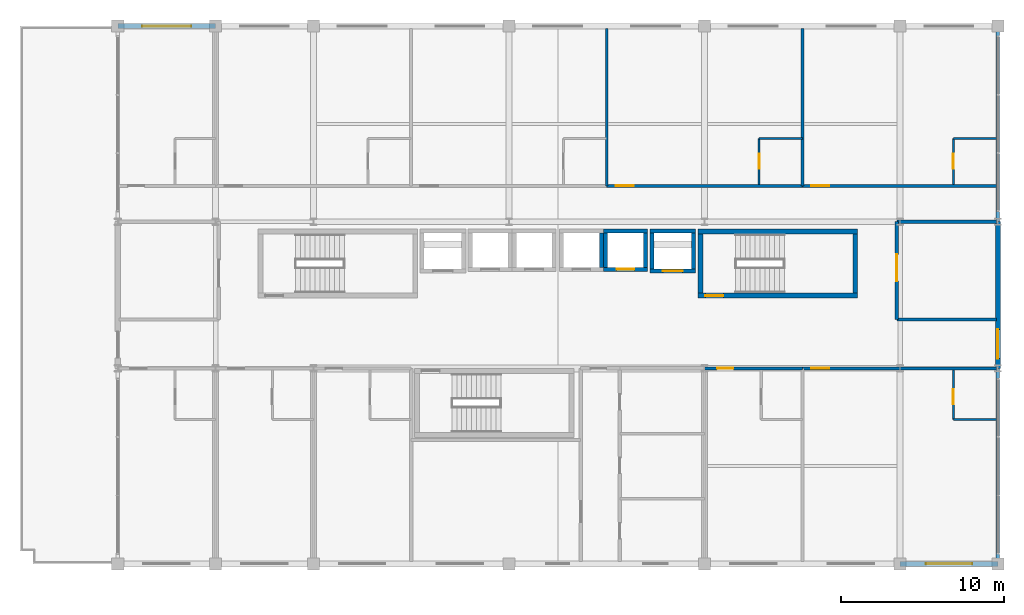
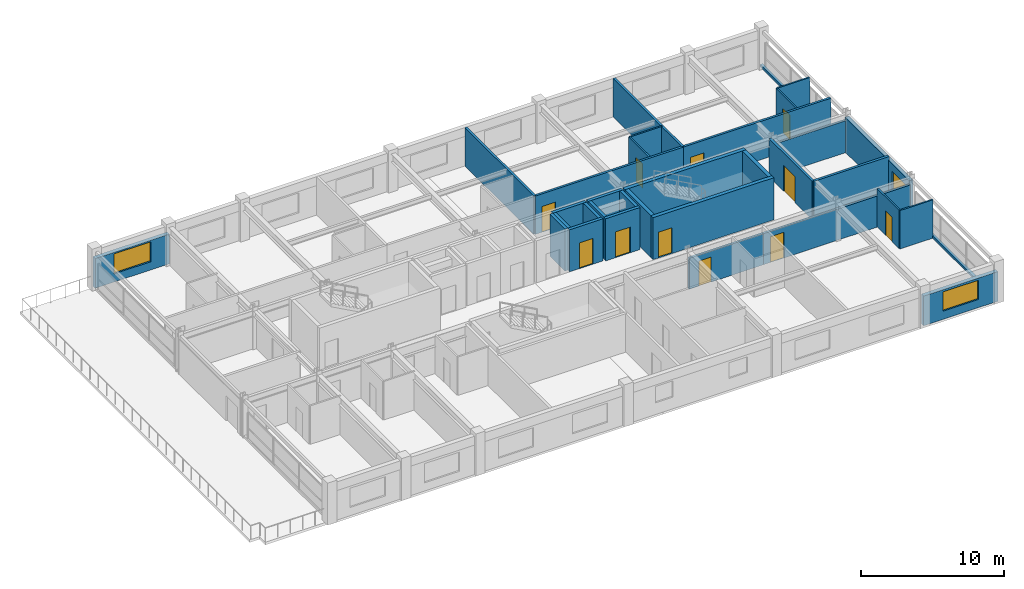
# One storey, part 19 of 21: 33 walls, 11 doors, 3 windows, 14 openings.
"""IFC4 building model written with IfcOpenShell, lengths in metres."""

from ifc_helpers import new_model, si_unit, direction, frame, frame_2d, origin, place, context, subcontext, project, spatial, rectangle, extrude, material, layer, layer_set, type_object, element, fill, save


model = new_model("IFC4")

# Units and contexts
model_context = context("Model", 3, precision=1e-05, world=origin(), true_north=direction((0.0, 1.0)))
body_context = subcontext(model_context, "Body", "Model", "MODEL_VIEW")
ifc_project = project(units=[si_unit("LENGTHUNIT", "METRE"), si_unit("AREAUNIT", "SQUARE_METRE"), si_unit("VOLUMEUNIT", "CUBIC_METRE"), si_unit("PLANEANGLEUNIT", "RADIAN"), si_unit("MASSUNIT", "GRAM", prefix="KILO")], contexts=[model_context])

# Site, building, storey
site_placement = place(None, origin())
site = spatial("IfcSite", under=ifc_project, at=site_placement, CompositionType="ELEMENT")
building_placement = place(site_placement, origin())
building = spatial("IfcBuilding", under=site, at=building_placement, Name="Kaldorvane Square Convention Centre", CompositionType="ELEMENT")
storey_placement = place(building_placement, frame((0.0, 0.0, 49.19999694824219)))
storey = spatial("IfcBuildingStorey", under=building, at=storey_placement, Name="L11", CompositionType="ELEMENT", Elevation=49.19999694824219)

# Wall, opening, door
ifc_material_1 = material(Name="Fire-Rated Gypsum Board on Acoustic Steel Studs", Category="steel")
ifc_layer_1 = layer(ifc_material_1, 0.125)
ifc_layer_set_1 = layer_set([ifc_layer_1], Name="Fire-Rated Gypsum Board on Acoustic Steel Studs")
wall_type_1 = type_object("IfcWallType", Name="WL-BATH-125", PredefinedType="PARTITIONING", material=ifc_layer_set_1)
wall_1_placement = place(storey_placement, frame((69.35000610351562, 107.28999328613281, 0.0), z_axis=(0.0, 0.0, 1.0), x_axis=(0.0, 1.0, 0.0)))
wall_1 = element("IfcWall", 1, at=wall_1_placement, inside=storey, type_object=wall_type_1, Name="En-Suite 1104 West Wall", PredefinedType="PARTITIONING", context=body_context, shape_type="SweptSolid", body=[
    extrude(rectangle(XDim=2.8100128173828125, YDim=0.125, at=frame_2d((1.404998779296875, 0.0))), origin(), (0.0, 0.0, 1.0), 3.290008544921875),
])
opening_1_placement = place(wall_1_placement, frame((0.9499969482421875, 0.0, 0.0)))
opening_1 = element("IfcOpeningElement", 2, at=opening_1_placement, cuts=wall_1, Name="Opening ID-12", PredefinedType="OPENING", context=body_context, shape_type="SweptSolid", body=[
    extrude(rectangle(XDim=0.9199981689453125, YDim=2.100006103515625, at=frame_2d((0.459991455078125, 1.0500030517578125))), frame((0.0, 0.0774993896484375, 0.0), z_axis=(0.0, -1.0, 0.0), x_axis=(1.0, 0.0, 0.0)), (0.0, 0.0, 1.0), 0.154998779296875),
])
ifc_material_2 = material(Name="Architectural Solid-Core White Oak")
door_type_1 = type_object("IfcDoorType", Name="DR-BATH-0920X2100", OperationType="SINGLE_SWING_RIGHT", PredefinedType="DOOR", material=ifc_material_2)
door_1_placement = place(opening_1_placement, origin())
door_1 = element("IfcDoor", 3, at=door_1_placement, inside=storey, type_object=door_type_1, Name="En-Suite Bathroom 1104 Door", OperationType="SINGLE_SWING_RIGHT", OverallHeight=2.100006103515625, OverallWidth=0.9199981689453125, PredefinedType="DOOR", context=body_context, shape_type="SweptSolid", body=[
    extrude(rectangle(XDim=0.9199981689453125, YDim=2.100006103515625, at=frame_2d((0.459991455078125, 1.0500030517578125))), frame((0.0, 0.024993896484375, 0.0), z_axis=(0.0, -1.0, 0.0), x_axis=(1.0, 0.0, 0.0)), (0.0, 0.0, 1.0), 0.0500030517578125),
])
fill(opening_1, door_1)

# Wall
wall_2_placement = place(storey_placement, frame((69.35000610351562, 110.10000610351562, 0.0), z_axis=(0.0, 0.0, 1.0), x_axis=(1.0, 0.0, 0.0)))
element("IfcWall", 4, at=wall_2_placement, inside=storey, type_object=wall_type_1, Name="En-Suite 1104 North Wall", PredefinedType="PARTITIONING", context=body_context, shape_type="SweptSolid", body=[
    extrude(rectangle(XDim=2.649993896484375, YDim=0.125, at=frame_2d((1.3249969482421875, 0.0))), origin(), (0.0, 0.0, 1.0), 3.290008544921875),
])

# Wall, opening, door
wall_3_placement = place(storey_placement, frame((81.26499938964844, 107.28999328613281, 0.0), z_axis=(0.0, 0.0, 1.0), x_axis=(0.0, 1.0, 0.0)))
wall_3 = element("IfcWall", 5, at=wall_3_placement, inside=storey, type_object=wall_type_1, Name="En-Suite 1105 West Wall", PredefinedType="PARTITIONING", context=body_context, shape_type="SweptSolid", body=[
    extrude(rectangle(XDim=2.8100128173828125, YDim=0.125, at=frame_2d((1.404998779296875, 0.0))), origin(), (0.0, 0.0, 1.0), 3.290008544921875),
])
opening_2_placement = place(wall_3_placement, frame((0.9499969482421875, 0.0, 0.0)))
opening_2 = element("IfcOpeningElement", 6, at=opening_2_placement, cuts=wall_3, Name="Opening ID-12", PredefinedType="OPENING", context=body_context, shape_type="SweptSolid", body=[
    extrude(rectangle(XDim=0.9199981689453125, YDim=2.100006103515625, at=frame_2d((0.459991455078125, 1.0500030517578125))), frame((0.0, 0.0774993896484375, 0.0), z_axis=(0.0, -1.0, 0.0), x_axis=(1.0, 0.0, 0.0)), (0.0, 0.0, 1.0), 0.154998779296875),
])
door_2_placement = place(opening_2_placement, origin())
door_2 = element("IfcDoor", 7, at=door_2_placement, inside=storey, type_object=door_type_1, Name="En-Suite Bathroom 1105 Door", OperationType="SINGLE_SWING_RIGHT", OverallHeight=2.100006103515625, OverallWidth=0.9199981689453125, PredefinedType="DOOR", context=body_context, shape_type="SweptSolid", body=[
    extrude(rectangle(XDim=0.9199981689453125, YDim=2.100006103515625, at=frame_2d((0.459991455078125, 1.0500030517578125))), frame((0.0, 0.024993896484375, 0.0), z_axis=(0.0, -1.0, 0.0), x_axis=(1.0, 0.0, 0.0)), (0.0, 0.0, 1.0), 0.0500030517578125),
])
fill(opening_2, door_2)

# Wall
wall_4_placement = place(storey_placement, frame((81.26499938964844, 110.10000610351562, 0.0), z_axis=(0.0, 0.0, 1.0), x_axis=(1.0, 0.0, 0.0)))
element("IfcWall", 8, at=wall_4_placement, inside=storey, type_object=wall_type_1, Name="En-Suite 1105 North Wall", PredefinedType="PARTITIONING", context=body_context, shape_type="SweptSolid", body=[
    extrude(rectangle(XDim=2.649993896484375, YDim=0.125, at=frame_2d((1.3249969482421875, 0.0))), origin(), (0.0, 0.0, 1.0), 3.290008544921875),
])

# Wall, opening, door
wall_5_placement = place(storey_placement, frame((81.26499938964844, 92.85000610351562, 0.0), z_axis=(0.0, 0.0, 1.0), x_axis=(0.0, 1.0, 0.0)))
wall_5 = element("IfcWall", 9, at=wall_5_placement, inside=storey, type_object=wall_type_1, Name="En-Suite 1110 West Wall", PredefinedType="PARTITIONING", context=body_context, shape_type="SweptSolid", body=[
    extrude(rectangle(XDim=3.05999755859375, YDim=0.125, at=frame_2d((1.529998779296875, 0.0))), origin(), (0.0, 0.0, 1.0), 3.290008544921875),
])
opening_3_placement = place(wall_5_placement, frame((0.9499969482421875, 0.0, 0.0)))
opening_3 = element("IfcOpeningElement", 10, at=opening_3_placement, cuts=wall_5, Name="Opening ID-12", PredefinedType="OPENING", context=body_context, shape_type="SweptSolid", body=[
    extrude(rectangle(XDim=0.9199981689453125, YDim=2.100006103515625, at=frame_2d((0.459991455078125, 1.0500030517578125))), frame((0.0, 0.0774993896484375, 0.0), z_axis=(0.0, -1.0, 0.0), x_axis=(1.0, 0.0, 0.0)), (0.0, 0.0, 1.0), 0.154998779296875),
])
door_3_placement = place(opening_3_placement, origin())
door_3 = element("IfcDoor", 11, at=door_3_placement, inside=storey, type_object=door_type_1, Name="En-Suite Bathroom 1110 Door", OperationType="SINGLE_SWING_RIGHT", OverallHeight=2.100006103515625, OverallWidth=0.9199981689453125, PredefinedType="DOOR", context=body_context, shape_type="SweptSolid", body=[
    extrude(rectangle(XDim=0.9199981689453125, YDim=2.100006103515625, at=frame_2d((0.459991455078125, 1.0500030517578125))), frame((0.0, 0.024993896484375, 0.0), z_axis=(0.0, -1.0, 0.0), x_axis=(1.0, 0.0, 0.0)), (0.0, 0.0, 1.0), 0.0500030517578125),
])
fill(opening_3, door_3)

# Walls
wall_6_placement = place(storey_placement, frame((81.26499938964844, 92.85000610351562, 0.0), z_axis=(0.0, 0.0, 1.0), x_axis=(1.0, 0.0, 0.0)))
element("IfcWall", 12, at=wall_6_placement, inside=storey, type_object=wall_type_1, Name="En-Suite 1110 South Wall", PredefinedType="PARTITIONING", context=body_context, shape_type="SweptSolid", body=[
    extrude(rectangle(XDim=2.649993896484375, YDim=0.125, at=frame_2d((1.3249969482421875, 0.0))), origin(), (0.0, 0.0, 1.0), 3.290008544921875),
])
ifc_layer_2 = layer(ifc_material_1, 0.1999969482421875)
ifc_layer_set_2 = layer_set([ifc_layer_2], Name="Fire-Rated Gypsum Board on Acoustic Steel Studs")
wall_type_2 = type_object("IfcWallType", Name="WL-CORR-200", PredefinedType="PARTITIONING", material=ifc_layer_set_2)
wall_7_placement = place(storey_placement, frame((77.80000305175781, 99.0, 0.0), z_axis=(0.0, 0.0, 1.0), x_axis=(1.0, 0.0, 0.0)))
element("IfcWall", 13, at=wall_7_placement, inside=storey, type_object=wall_type_2, Name="East Square View Lounge (L11) S Wall", PredefinedType="PARTITIONING", context=body_context, shape_type="SweptSolid", body=[
    extrude(rectangle(XDim=6.114990234375, YDim=0.1999969482421875, at=frame_2d((3.0574951171875, 0.0))), origin(), (0.0, 0.0, 1.0), 3.290008544921875),
])
wall_8_placement = place(storey_placement, frame((83.91499328613281, 105.0, 0.0), z_axis=(0.0, 0.0, 1.0), x_axis=(-1.0, 0.0, 0.0)))
element("IfcWall", 14, at=wall_8_placement, inside=storey, type_object=wall_type_2, Name="East Square View Lounge (L11) N Wall", PredefinedType="PARTITIONING", context=body_context, shape_type="SweptSolid", body=[
    extrude(rectangle(XDim=6.114990234375, YDim=0.1999969482421875, at=frame_2d((3.0574951171875, 0.0))), origin(), (0.0, 0.0, 1.0), 2.7360076904296875),
])

# Wall, opening, door
wall_9_placement = place(storey_placement, frame((77.80000305175781, 105.0, 0.0), z_axis=(0.0, 0.0, 1.0), x_axis=(0.0, -1.0, 0.0)))
wall_9 = element("IfcWall", 15, at=wall_9_placement, inside=storey, type_object=wall_type_2, Name="East Square View Lounge (L11) W Wall", PredefinedType="PARTITIONING", context=body_context, shape_type="SweptSolid", body=[
    extrude(rectangle(XDim=6.0, YDim=0.1999969482421875, at=frame_2d((3.0, 0.0))), origin(), (0.0, 0.0, 1.0), 3.290008544921875),
])
opening_4_placement = place(wall_9_placement, frame((2.0, 0.0, 0.0)))
opening_4 = element("IfcOpeningElement", 16, at=opening_4_placement, cuts=wall_9, Name="Opening ID-16", PredefinedType="OPENING", context=body_context, shape_type="SweptSolid", body=[
    extrude(rectangle(XDim=1.649993896484375, YDim=2.25, at=frame_2d((0.8249969482421875, 1.125))), frame((0.0, 0.114990234375, 0.0), z_axis=(0.0, -1.0, 0.0), x_axis=(1.0, 0.0, 0.0)), (0.0, 0.0, 1.0), 0.2299957275390625),
])
ifc_material_3 = material(Name="Acoustic Laminated Glass in Aluminum Frame", Category="aluminium")
door_type_2 = type_object("IfcDoorType", Name="DR-GL-1650X2250", OperationType="DOUBLE_DOOR_SINGLE_SWING", PredefinedType="DOOR", material=ifc_material_3)
door_4_placement = place(opening_4_placement, origin())
door_4 = element("IfcDoor", 17, at=door_4_placement, inside=storey, type_object=door_type_2, Name="East Square View Lounge (L11) Door 1", OperationType="DOUBLE_DOOR_SINGLE_SWING", OverallHeight=2.25, OverallWidth=1.649993896484375, PredefinedType="DOOR", context=body_context, shape_type="SweptSolid", body=[
    extrude(rectangle(XDim=1.649993896484375, YDim=2.25, at=frame_2d((0.8249969482421875, 1.125))), frame((0.0, 0.024993896484375, 0.0), z_axis=(0.0, -1.0, 0.0), x_axis=(1.0, 0.0, 0.0)), (0.0, 0.0, 1.0), 0.0500030517578125),
])
fill(opening_4, door_4)

# Wall, opening, window
ifc_material_4 = material(Name="Concrete f'c = 35 MPa (Normalweight)", Category="concrete")
ifc_layer_3 = layer(ifc_material_4, 0.32000732421875)
ifc_layer_set_3 = layer_set([ifc_layer_3], Name="Concrete f'c = 35 MPa (Normalweight)")
wall_type_3 = type_object("IfcWallType", Name="WL-EXT-320", PredefinedType="STANDARD", material=ifc_layer_set_3)
wall_10_placement = place(storey_placement, frame((78.0, 84.0, 0.0), z_axis=(0.0, 0.0, 1.0), x_axis=(1.0, 0.0, 0.0)))
wall_10 = element("IfcWall", 18, at=wall_10_placement, inside=storey, type_object=wall_type_3, Name="Hotel S Brutalist Facade Wall (L11)", PredefinedType="STANDARD", context=body_context, shape_type="SweptSolid", body=[
    extrude(rectangle(XDim=6.0, YDim=0.32000732421875, at=frame_2d((3.0, 0.0))), origin(), (0.0, 0.0, 1.0), 2.5359954833984375),
])
opening_5_placement = place(wall_10_placement, frame((1.5749969482421875, 0.0, 0.6999969482421875)))
opening_5 = element("IfcOpeningElement", 19, at=opening_5_placement, cuts=wall_10, Name="Opening W-04", PredefinedType="OPENING", context=body_context, shape_type="SweptSolid", body=[
    extrude(rectangle(XDim=2.850006103515625, YDim=1.649993896484375, at=frame_2d((1.4250030517578125, 0.8249969482421875))), frame((0.0, 0.1750030517578125, 0.0), z_axis=(0.0, -1.0, 0.0), x_axis=(1.0, 0.0, 0.0)), (0.0, 0.0, 1.0), 0.350006103515625),
])
ifc_material_5 = material(Name="Anodized Aluminum and Low-E Insulated Glazing", Category="aluminium")
window_type_1 = type_object("IfcWindowType", Name="WN-HTL-2850X1650", PartitioningType="TRIPLE_PANEL_VERTICAL", PredefinedType="WINDOW", material=ifc_material_5)
window_1_placement = place(opening_5_placement, origin())
window_1 = element("IfcWindow", 20, at=window_1_placement, inside=storey, type_object=window_type_1, Name="Hotel S Window (L11)", OverallHeight=1.649993896484375, OverallWidth=2.850006103515625, PartitioningType="TRIPLE_PANEL_VERTICAL", PredefinedType="WINDOW", context=body_context, shape_type="SweptSolid", body=[
    extrude(rectangle(XDim=2.850006103515625, YDim=1.649993896484375, at=frame_2d((1.4250030517578125, 0.8249969482421875))), frame((0.0, 0.029998779296875, 0.0), z_axis=(0.0, -1.0, 0.0), x_axis=(1.0, 0.0, 0.0)), (0.0, 0.0, 1.0), 0.05999755859375),
])
fill(opening_5, window_1)

wall_11_placement = place(storey_placement, frame((36.0, 117.0, 0.0), z_axis=(0.0, 0.0, 1.0), x_axis=(-1.0, 0.0, 0.0)))
wall_11 = element("IfcWall", 21, at=wall_11_placement, inside=storey, type_object=wall_type_3, Name="Hotel N Brutalist Facade Wall (L11)", PredefinedType="STANDARD", context=body_context, shape_type="SweptSolid", body=[
    extrude(rectangle(XDim=6.0, YDim=0.32000732421875, at=frame_2d((3.0, 0.0))), origin(), (0.0, 0.0, 1.0), 2.5359954833984375),
])
opening_6_placement = place(wall_11_placement, frame((1.5, 0.0, 0.6999969482421875)))
opening_6 = element("IfcOpeningElement", 22, at=opening_6_placement, cuts=wall_11, Name="Opening W-09", PredefinedType="OPENING", context=body_context, shape_type="SweptSolid", body=[
    extrude(rectangle(XDim=3.0, YDim=1.7100067138671875, at=frame_2d((1.5, 0.855010986328125))), frame((0.0, 0.1750030517578125, 0.0), z_axis=(0.0, -1.0, 0.0), x_axis=(1.0, 0.0, 0.0)), (0.0, 0.0, 1.0), 0.350006103515625),
])
window_type_2 = type_object("IfcWindowType", Name="WN-HTL-3000X1750", PartitioningType="TRIPLE_PANEL_VERTICAL", PredefinedType="WINDOW", material=ifc_material_5)
window_2_placement = place(opening_6_placement, origin())
window_2 = element("IfcWindow", 23, at=window_2_placement, inside=storey, type_object=window_type_2, Name="Hotel N Window (L11)", OverallHeight=1.7100067138671875, OverallWidth=3.0, PartitioningType="TRIPLE_PANEL_VERTICAL", PredefinedType="WINDOW", context=body_context, shape_type="SweptSolid", body=[
    extrude(rectangle(XDim=3.0, YDim=1.7100067138671875, at=frame_2d((1.5, 0.855010986328125))), frame((0.0, 0.029998779296875, 0.0), z_axis=(0.0, -1.0, 0.0), x_axis=(1.0, 0.0, 0.0)), (0.0, 0.0, 1.0), 0.05999755859375),
])
fill(opening_6, window_2)

wall_12_placement = place(storey_placement, frame((84.0, 96.0, 0.0), z_axis=(0.0, 0.0, 1.0), x_axis=(0.0, 1.0, 0.0)))
wall_12 = element("IfcWall", 24, at=wall_12_placement, inside=storey, type_object=wall_type_3, Name="Hotel E End Wall (L11)", PredefinedType="STANDARD", context=body_context, shape_type="SweptSolid", body=[
    extrude(rectangle(XDim=9.0, YDim=0.32000732421875, at=frame_2d((4.5, 0.0))), origin(), (0.0, 0.0, 1.0), 2.9810028076171875),
])
opening_7_placement = place(wall_12_placement, frame((0.600006103515625, 0.0, 0.850006103515625)))
opening_7 = element("IfcOpeningElement", 25, at=opening_7_placement, cuts=wall_12, Name="Opening W-11", PredefinedType="OPENING", context=body_context, shape_type="SweptSolid", body=[
    extrude(rectangle(XDim=1.8000030517578125, YDim=1.5, at=frame_2d((0.899993896484375, 0.75))), frame((0.0, 0.1750030517578125, 0.0), z_axis=(0.0, -1.0, 0.0), x_axis=(1.0, 0.0, 0.0)), (0.0, 0.0, 1.0), 0.350006103515625),
])
window_type_3 = type_object("IfcWindowType", Name="WN-HTL-1800X1500", PartitioningType="SINGLE_PANEL", PredefinedType="WINDOW", material=ifc_material_5)
window_3_placement = place(opening_7_placement, origin())
window_3 = element("IfcWindow", 26, at=window_3_placement, inside=storey, type_object=window_type_3, Name="Hotel End Window E (L11)", OverallHeight=1.5, OverallWidth=1.8000030517578125, PartitioningType="SINGLE_PANEL", PredefinedType="WINDOW", context=body_context, shape_type="SweptSolid", body=[
    extrude(rectangle(XDim=1.8000030517578125, YDim=1.5, at=frame_2d((0.899993896484375, 0.75))), frame((0.0, 0.029998779296875, 0.0), z_axis=(0.0, -1.0, 0.0), x_axis=(1.0, 0.0, 0.0)), (0.0, 0.0, 1.0), 0.05999755859375),
])
fill(opening_7, window_3)

# Walls
ifc_layer_4 = layer(ifc_material_4, 0.220001220703125)
ifc_layer_set_4 = layer_set([ifc_layer_4], Name="Concrete f'c = 35 MPa (Normalweight)")
wall_type_4 = type_object("IfcWallType", Name="WL-PAR-220", PredefinedType="PARAPET", material=ifc_layer_set_4)
for number, where, z_axis, x_axis, name in (
    (27, (84.0, 84.0, 0.0), (0.0, 0.0, 1.0), (0.0, 1.0, 0.0), "Hotel End Curtain-Wall Sill (L11)"),
    (28, (84.0, 105.0, 0.0), (0.0, 0.0, 1.0), (0.0, 1.0, 0.0), "Hotel End Curtain-Wall Sill (L11)"),
):
    element("IfcWall", number, at=place(storey_placement, frame(where, z_axis=z_axis, x_axis=x_axis)), inside=storey, type_object=wall_type_4, Name=name, PredefinedType="PARAPET", context=body_context, shape_type="SweptSolid", body=[
        extrude(rectangle(XDim=12.0, YDim=0.220001220703125, at=frame_2d((6.0, 0.0))), origin(), (0.0, 0.0, 1.0), 0.1999969482421875),
    ])

# Wall, opening, door
ifc_material_6 = material(Name="Concrete f'c = 55 MPa (Normalweight)", Category="concrete")
ifc_layer_5 = layer(ifc_material_6, 0.3000030517578125)
ifc_layer_set_5 = layer_set([ifc_layer_5], Name="Concrete f'c = 55 MPa (Normalweight)")
wall_type_5 = type_object("IfcWallType", Name="WL-SHAFT-300", PredefinedType="SHEAR", material=ifc_layer_set_5)
wall_13_placement = place(storey_placement, frame((65.60000610351562, 100.46000671386719, 0.0), z_axis=(0.0, 0.0, 1.0), x_axis=(1.0, 0.0, 0.0)))
wall_13 = element("IfcWall", 29, at=wall_13_placement, inside=storey, type_object=wall_type_5, Name="Core Enclosure Wall stair:ST-T2-S (L11)", PredefinedType="SHEAR", context=body_context, shape_type="SweptSolid", body=[
    extrude(rectangle(XDim=9.79998779296875, YDim=0.3000030517578125, at=frame_2d((4.899993896484375, 0.0))), origin(), (0.0, 0.0, 1.0), 3.600006103515625),
])
opening_8_placement = place(wall_13_placement, frame((0.4499969482421875, 0.0, 0.0)))
opening_8 = element("IfcOpeningElement", 30, at=opening_8_placement, cuts=wall_13, Name="Opening FD90-S1", PredefinedType="OPENING", context=body_context, shape_type="SweptSolid", body=[
    extrude(rectangle(XDim=1.100006103515625, YDim=2.1999969482421875, at=frame_2d((0.5500030517578125, 1.100006103515625))), frame((0.0, 0.165008544921875, 0.0), z_axis=(0.0, -1.0, 0.0), x_axis=(1.0, 0.0, 0.0)), (0.0, 0.0, 1.0), 0.3300018310546875),
])
ifc_material_7 = material(Name="Fire-Rated Hollow Metal Steel", Category="steel")
door_type_3 = type_object("IfcDoorType", Name="DR-STAIR-1100", OperationType="SINGLE_SWING_RIGHT", PredefinedType="DOOR", material=ifc_material_7)
door_5_placement = place(opening_8_placement, origin())
door_5 = element("IfcDoor", 31, at=door_5_placement, inside=storey, type_object=door_type_3, Name="Tower Exit Stair T2 Fire Door (L11)", OperationType="SINGLE_SWING_RIGHT", OverallHeight=2.1999969482421875, OverallWidth=1.100006103515625, PredefinedType="DOOR", context=body_context, shape_type="SweptSolid", body=[
    extrude(rectangle(XDim=1.100006103515625, YDim=2.1999969482421875, at=frame_2d((0.5500030517578125, 1.100006103515625))), frame((0.0, 0.024993896484375, 0.0), z_axis=(0.0, -1.0, 0.0), x_axis=(1.0, 0.0, 0.0)), (0.0, 0.0, 1.0), 0.0500030517578125),
])
fill(opening_8, door_5)

# Walls
wall_14_placement = place(storey_placement, frame((75.39999389648438, 104.39999389648438, 0.0), z_axis=(0.0, 0.0, 1.0), x_axis=(-1.0, 0.0, 0.0)))
element("IfcWall", 32, at=wall_14_placement, inside=storey, type_object=wall_type_5, Name="Core Enclosure Wall stair:ST-T2-N (L11)", PredefinedType="SHEAR", context=body_context, shape_type="SweptSolid", body=[
    extrude(rectangle(XDim=9.79998779296875, YDim=0.3000030517578125, at=frame_2d((4.899993896484375, 0.0))), origin(), (0.0, 0.0, 1.0), 3.600006103515625),
])
for number, where, z_axis, x_axis, name in (
    (33, (65.75, 104.25, 0.0), (0.0, 0.0, 1.0), (0.0, -1.0, 0.0), "Core Enclosure Wall stair:ST-T2-W (L11)"),
    (34, (75.25, 100.61000061035156, 0.0), (0.0, 0.0, 1.0), (0.0, 1.0, 0.0), "Core Enclosure Wall stair:ST-T2-E (L11)"),
):
    element("IfcWall", number, at=place(storey_placement, frame(where, z_axis=z_axis, x_axis=x_axis)), inside=storey, type_object=wall_type_5, Name=name, PredefinedType="SHEAR", context=body_context, shape_type="SweptSolid", body=[
        extrude(rectangle(XDim=3.6399993896484375, YDim=0.3000030517578125, at=frame_2d((1.82000732421875, 0.0))), origin(), (0.0, 0.0, 1.0), 3.600006103515625),
    ])

# Wall, opening, door
wall_15_placement = place(storey_placement, frame((62.649993896484375, 101.97500610351562, 0.0), z_axis=(0.0, 0.0, 1.0), x_axis=(1.0, 0.0, 0.0)))
wall_15 = element("IfcWall", 35, at=wall_15_placement, inside=storey, type_object=wall_type_5, Name="Core Enclosure Wall lift:FSAE-02-S (L11)", PredefinedType="SHEAR", context=body_context, shape_type="SweptSolid", body=[
    extrude(rectangle(XDim=2.8000030517578125, YDim=0.25, at=frame_2d((1.399993896484375, 0.0))), origin(), (0.0, 0.0, 1.0), 3.600006103515625),
])
opening_9_placement = place(wall_15_placement, frame((0.8000030517578125, 0.0, 0.0)))
opening_9 = element("IfcOpeningElement", 36, at=opening_9_placement, cuts=wall_15, Name="Opening LD-02", PredefinedType="OPENING", context=body_context, shape_type="SweptSolid", body=[
    extrude(rectangle(XDim=1.1999969482421875, YDim=2.1999969482421875, at=frame_2d((0.600006103515625, 1.100006103515625))), frame((0.0, 0.1399993896484375, 0.0), z_axis=(0.0, -1.0, 0.0), x_axis=(1.0, 0.0, 0.0)), (0.0, 0.0, 1.0), 0.279998779296875),
])
ifc_material_8 = material(Name="Stainless Steel Elevator Door Assembly", Category="steel")
door_type_4 = type_object("IfcDoorType", Name="DR-LIFT-1200", OperationType="DOUBLE_DOOR_SLIDING", PredefinedType="DOOR", material=ifc_material_8)
door_6_placement = place(opening_9_placement, origin())
door_6 = element("IfcDoor", 37, at=door_6_placement, inside=storey, type_object=door_type_4, Name="Elevator Landing Door FSAE-02 (L11)", OperationType="DOUBLE_DOOR_SLIDING", OverallHeight=2.1999969482421875, OverallWidth=1.1999969482421875, PredefinedType="DOOR", context=body_context, shape_type="SweptSolid", body=[
    extrude(rectangle(XDim=1.1999969482421875, YDim=2.1999969482421875, at=frame_2d((0.600006103515625, 1.100006103515625))), frame((0.0, 0.024993896484375, 0.0), z_axis=(0.0, -1.0, 0.0), x_axis=(1.0, 0.0, 0.0)), (0.0, 0.0, 1.0), 0.0500030517578125),
])
fill(opening_9, door_6)

# Walls
wall_16_placement = place(storey_placement, frame((65.44999694824219, 104.42500305175781, 0.0), z_axis=(0.0, 0.0, 1.0), x_axis=(-1.0, 0.0, 0.0)))
element("IfcWall", 38, at=wall_16_placement, inside=storey, type_object=wall_type_5, Name="Core Enclosure Wall lift:FSAE-02-N (L11)", PredefinedType="SHEAR", context=body_context, shape_type="SweptSolid", body=[
    extrude(rectangle(XDim=2.8000030517578125, YDim=0.25, at=frame_2d((1.399993896484375, 0.0))), origin(), (0.0, 0.0, 1.0), 3.600006103515625),
])
for number, where, z_axis, x_axis, name in (
    (39, (62.774993896484375, 104.30000305175781, 0.0), (0.0, 0.0, 1.0), (0.0, -1.0, 0.0), "Core Enclosure Wall lift:FSAE-02-W (L11)"),
    (40, (65.32499694824219, 102.10000610351562, 0.0), (0.0, 0.0, 1.0), (0.0, 1.0, 0.0), "Core Enclosure Wall lift:FSAE-02-E (L11)"),
):
    element("IfcWall", number, at=place(storey_placement, frame(where, z_axis=z_axis, x_axis=x_axis)), inside=storey, type_object=wall_type_5, Name=name, PredefinedType="SHEAR", context=body_context, shape_type="SweptSolid", body=[
        extrude(rectangle(XDim=2.1999969482421875, YDim=0.25, at=frame_2d((1.100006103515625, 0.0))), origin(), (0.0, 0.0, 1.0), 3.600006103515625),
    ])
wall_17_placement = place(storey_placement, frame((59.67500305175781, 102.19999694824219, 0.0), z_axis=(0.0, 0.0, 1.0), x_axis=(0.0, 1.0, 0.0)))
element("IfcWall", 41, at=wall_17_placement, inside=storey, type_object=wall_type_5, Name="Core Enclosure Wall lift:EL-P3-E (L11)", PredefinedType="SHEAR", context=body_context, shape_type="SweptSolid", body=[
    extrude(rectangle(XDim=2.100006103515625, YDim=0.25, at=frame_2d((1.0500030517578125, 0.0))), origin(), (0.0, 0.0, 1.0), 3.600006103515625),
])

# Wall, opening, door
wall_18_placement = place(storey_placement, frame((59.80000305175781, 102.07499694824219, 0.0), z_axis=(0.0, 0.0, 1.0), x_axis=(1.0, 0.0, 0.0)))
wall_18 = element("IfcWall", 42, at=wall_18_placement, inside=storey, type_object=wall_type_5, Name="Core Enclosure Wall lift:EL-P4-S (L11)", PredefinedType="SHEAR", context=body_context, shape_type="SweptSolid", body=[
    extrude(rectangle(XDim=2.6999969482421875, YDim=0.25, at=frame_2d((1.350006103515625, 0.0))), origin(), (0.0, 0.0, 1.0), 3.600006103515625),
])
opening_10_placement = place(wall_18_placement, frame((0.8000030517578125, 0.0, 0.0)))
opening_10 = element("IfcOpeningElement", 43, at=opening_10_placement, cuts=wall_18, Name="Opening LD-01", PredefinedType="OPENING", context=body_context, shape_type="SweptSolid", body=[
    extrude(rectangle(XDim=1.100006103515625, YDim=2.1999969482421875, at=frame_2d((0.5500030517578125, 1.100006103515625))), frame((0.0, 0.1399993896484375, 0.0), z_axis=(0.0, -1.0, 0.0), x_axis=(1.0, 0.0, 0.0)), (0.0, 0.0, 1.0), 0.279998779296875),
])
door_type_5 = type_object("IfcDoorType", Name="DR-LIFT-1100", OperationType="DOUBLE_DOOR_SLIDING", PredefinedType="DOOR", material=ifc_material_8)
door_7_placement = place(opening_10_placement, origin())
door_7 = element("IfcDoor", 44, at=door_7_placement, inside=storey, type_object=door_type_5, Name="Elevator Landing Door EL-P4 (L11)", OperationType="DOUBLE_DOOR_SLIDING", OverallHeight=2.1999969482421875, OverallWidth=1.100006103515625, PredefinedType="DOOR", context=body_context, shape_type="SweptSolid", body=[
    extrude(rectangle(XDim=1.100006103515625, YDim=2.1999969482421875, at=frame_2d((0.5500030517578125, 1.100006103515625))), frame((0.0, 0.024993896484375, 0.0), z_axis=(0.0, -1.0, 0.0), x_axis=(1.0, 0.0, 0.0)), (0.0, 0.0, 1.0), 0.0500030517578125),
])
fill(opening_10, door_7)

# Walls
wall_19_placement = place(storey_placement, frame((62.5, 104.42500305175781, 0.0), z_axis=(0.0, 0.0, 1.0), x_axis=(-1.0, 0.0, 0.0)))
element("IfcWall", 45, at=wall_19_placement, inside=storey, type_object=wall_type_5, Name="Core Enclosure Wall lift:EL-P4-N (L11)", PredefinedType="SHEAR", context=body_context, shape_type="SweptSolid", body=[
    extrude(rectangle(XDim=2.6999969482421875, YDim=0.25, at=frame_2d((1.350006103515625, 0.0))), origin(), (0.0, 0.0, 1.0), 3.600006103515625),
])
for number, where, z_axis, x_axis, name in (
    (46, (59.92500305175781, 104.30000305175781, 0.0), (0.0, 0.0, 1.0), (0.0, -1.0, 0.0), "Core Enclosure Wall lift:EL-P4-W (L11)"),
    (47, (62.375, 102.19999694824219, 0.0), (0.0, 0.0, 1.0), (0.0, 1.0, 0.0), "Core Enclosure Wall lift:EL-P4-E (L11)"),
):
    element("IfcWall", number, at=place(storey_placement, frame(where, z_axis=z_axis, x_axis=x_axis)), inside=storey, type_object=wall_type_5, Name=name, PredefinedType="SHEAR", context=body_context, shape_type="SweptSolid", body=[
        extrude(rectangle(XDim=2.100006103515625, YDim=0.25, at=frame_2d((1.0500030517578125, 0.0))), origin(), (0.0, 0.0, 1.0), 3.600006103515625),
    ])
ifc_layer_6 = layer(ifc_material_1, 0.17999267578125)
ifc_layer_set_6 = layer_set([ifc_layer_6], Name="Fire-Rated Gypsum Board on Acoustic Steel Studs")
wall_type_6 = type_object("IfcWallType", Name="WL-UNIT-180", PredefinedType="PARTITIONING", material=ifc_layer_set_6)
wall_20_placement = place(storey_placement, frame((60.0, 107.19999694824219, 0.0), z_axis=(0.0, 0.0, 1.0), x_axis=(0.0, 1.0, 0.0)))
element("IfcWall", 48, at=wall_20_placement, inside=storey, type_object=wall_type_6, Name="Guestroom Demising Wall 1103", PredefinedType="PARTITIONING", context=body_context, shape_type="SweptSolid", body=[
    extrude(rectangle(XDim=9.639999389648438, YDim=0.17999267578125, at=frame_2d((4.82000732421875, 0.0))), origin(), (0.0, 0.0, 1.0), 3.290008544921875),
])

# Wall, opening, door
wall_21_placement = place(storey_placement, frame((60.0, 107.19999694824219, 0.0), z_axis=(0.0, 0.0, 1.0), x_axis=(1.0, 0.0, 0.0)))
wall_21 = element("IfcWall", 49, at=wall_21_placement, inside=storey, type_object=wall_type_6, Name="Presidential Suite 1104 Corridor Wall", PredefinedType="PARTITIONING", context=body_context, shape_type="SweptSolid", body=[
    extrude(rectangle(XDim=12.0, YDim=0.17999267578125, at=frame_2d((6.0, 0.0))), origin(), (0.0, 0.0, 1.0), 3.290008544921875),
])
opening_11_placement = place(wall_21_placement, frame((0.5500030517578125, 0.0, 0.0)))
opening_11 = element("IfcOpeningElement", 50, at=opening_11_placement, cuts=wall_21, Name="Opening ID-11", PredefinedType="OPENING", context=body_context, shape_type="SweptSolid", body=[
    extrude(rectangle(XDim=1.100006103515625, YDim=2.1999969482421875, at=frame_2d((0.5500030517578125, 1.100006103515625))), frame((0.0, 0.1049957275390625, 0.0), z_axis=(0.0, -1.0, 0.0), x_axis=(1.0, 0.0, 0.0)), (0.0, 0.0, 1.0), 0.209991455078125),
])
door_type_6 = type_object("IfcDoorType", Name="DR-SUITE-1100X2200", OperationType="SINGLE_SWING_LEFT", PredefinedType="DOOR", material=ifc_material_2)
door_8_placement = place(opening_11_placement, origin())
door_8 = element("IfcDoor", 51, at=door_8_placement, inside=storey, type_object=door_type_6, Name="Presidential Suite 1104 Entry Door", OperationType="SINGLE_SWING_LEFT", OverallHeight=2.1999969482421875, OverallWidth=1.100006103515625, PredefinedType="DOOR", context=body_context, shape_type="SweptSolid", body=[
    extrude(rectangle(XDim=1.100006103515625, YDim=2.1999969482421875, at=frame_2d((0.5500030517578125, 1.100006103515625))), frame((0.0, 0.024993896484375, 0.0), z_axis=(0.0, -1.0, 0.0), x_axis=(1.0, 0.0, 0.0)), (0.0, 0.0, 1.0), 0.0500030517578125),
])
fill(opening_11, door_8)

# Wall
wall_22_placement = place(storey_placement, frame((72.0, 107.19999694824219, 0.0), z_axis=(0.0, 0.0, 1.0), x_axis=(0.0, 1.0, 0.0)))
element("IfcWall", 52, at=wall_22_placement, inside=storey, type_object=wall_type_6, Name="Guestroom Demising Wall 1104", PredefinedType="PARTITIONING", context=body_context, shape_type="SweptSolid", body=[
    extrude(rectangle(XDim=9.639999389648438, YDim=0.17999267578125, at=frame_2d((4.82000732421875, 0.0))), origin(), (0.0, 0.0, 1.0), 3.290008544921875),
])

# Wall, opening, door
wall_23_placement = place(storey_placement, frame((72.0, 107.19999694824219, 0.0), z_axis=(0.0, 0.0, 1.0), x_axis=(1.0, 0.0, 0.0)))
wall_23 = element("IfcWall", 53, at=wall_23_placement, inside=storey, type_object=wall_type_6, Name="Presidential Suite 1105 Corridor Wall", PredefinedType="PARTITIONING", context=body_context, shape_type="SweptSolid", body=[
    extrude(rectangle(XDim=11.914993286132812, YDim=0.17999267578125, at=frame_2d((5.957489013671875, 0.0))), origin(), (0.0, 0.0, 1.0), 3.290008544921875),
])
opening_12_placement = place(wall_23_placement, frame((0.5500030517578125, 0.0, 0.0)))
opening_12 = element("IfcOpeningElement", 54, at=opening_12_placement, cuts=wall_23, Name="Opening ID-11", PredefinedType="OPENING", context=body_context, shape_type="SweptSolid", body=[
    extrude(rectangle(XDim=1.100006103515625, YDim=2.1999969482421875, at=frame_2d((0.5500030517578125, 1.100006103515625))), frame((0.0, 0.1049957275390625, 0.0), z_axis=(0.0, -1.0, 0.0), x_axis=(1.0, 0.0, 0.0)), (0.0, 0.0, 1.0), 0.209991455078125),
])
door_9_placement = place(opening_12_placement, origin())
door_9 = element("IfcDoor", 55, at=door_9_placement, inside=storey, type_object=door_type_6, Name="Presidential Suite 1105 Entry Door", OperationType="SINGLE_SWING_LEFT", OverallHeight=2.1999969482421875, OverallWidth=1.100006103515625, PredefinedType="DOOR", context=body_context, shape_type="SweptSolid", body=[
    extrude(rectangle(XDim=1.100006103515625, YDim=2.1999969482421875, at=frame_2d((0.5500030517578125, 1.100006103515625))), frame((0.0, 0.024993896484375, 0.0), z_axis=(0.0, -1.0, 0.0), x_axis=(1.0, 0.0, 0.0)), (0.0, 0.0, 1.0), 0.0500030517578125),
])
fill(opening_12, door_9)

wall_24_placement = place(storey_placement, frame((66.0, 96.0, 0.0), z_axis=(0.0, 0.0, 1.0), x_axis=(1.0, 0.0, 0.0)))
wall_24 = element("IfcWall", 56, at=wall_24_placement, inside=storey, type_object=wall_type_6, Name="Hotel Guest Room 1109 Corridor Wall", PredefinedType="PARTITIONING", context=body_context, shape_type="SweptSolid", body=[
    extrude(rectangle(XDim=6.0, YDim=0.17999267578125, at=frame_2d((3.0, 0.0))), origin(), (0.0, 0.0, 1.0), 2.66400146484375),
])
opening_13_placement = place(wall_24_placement, frame((0.7700042724609375, 0.0, 0.0)))
opening_13 = element("IfcOpeningElement", 57, at=opening_13_placement, cuts=wall_24, Name="Opening ID-10", PredefinedType="OPENING", context=body_context, shape_type="SweptSolid", body=[
    extrude(rectangle(XDim=1.0, YDim=2.149993896484375, at=frame_2d((0.5, 1.0749969482421875))), frame((0.0, 0.1049957275390625, 0.0), z_axis=(0.0, -1.0, 0.0), x_axis=(1.0, 0.0, 0.0)), (0.0, 0.0, 1.0), 0.209991455078125),
])
door_type_7 = type_object("IfcDoorType", Name="DR-GUEST-1000X2150", OperationType="SINGLE_SWING_LEFT", PredefinedType="DOOR", material=ifc_material_2)
door_10_placement = place(opening_13_placement, origin())
door_10 = element("IfcDoor", 58, at=door_10_placement, inside=storey, type_object=door_type_7, Name="Hotel Guest Room 1109 Entry Door", OperationType="SINGLE_SWING_LEFT", OverallHeight=2.149993896484375, OverallWidth=1.0, PredefinedType="DOOR", context=body_context, shape_type="SweptSolid", body=[
    extrude(rectangle(XDim=1.0, YDim=2.149993896484375, at=frame_2d((0.5, 1.0749969482421875))), frame((0.0, 0.024993896484375, 0.0), z_axis=(0.0, -1.0, 0.0), x_axis=(1.0, 0.0, 0.0)), (0.0, 0.0, 1.0), 0.0500030517578125),
])
fill(opening_13, door_10)

wall_25_placement = place(storey_placement, frame((72.0, 96.0, 0.0), z_axis=(0.0, 0.0, 1.0), x_axis=(1.0, 0.0, 0.0)))
wall_25 = element("IfcWall", 59, at=wall_25_placement, inside=storey, type_object=wall_type_6, Name="Presidential Suite 1110 Corridor Wall", PredefinedType="PARTITIONING", context=body_context, shape_type="SweptSolid", body=[
    extrude(rectangle(XDim=11.914993286132812, YDim=0.17999267578125, at=frame_2d((5.957489013671875, 0.0))), origin(), (0.0, 0.0, 1.0), 2.66400146484375),
])
opening_14_placement = place(wall_25_placement, frame((0.5500030517578125, 0.0, 0.0)))
opening_14 = element("IfcOpeningElement", 60, at=opening_14_placement, cuts=wall_25, Name="Opening ID-11", PredefinedType="OPENING", context=body_context, shape_type="SweptSolid", body=[
    extrude(rectangle(XDim=1.100006103515625, YDim=2.1999969482421875, at=frame_2d((0.5500030517578125, 1.100006103515625))), frame((0.0, 0.1049957275390625, 0.0), z_axis=(0.0, -1.0, 0.0), x_axis=(1.0, 0.0, 0.0)), (0.0, 0.0, 1.0), 0.209991455078125),
])
door_11_placement = place(opening_14_placement, origin())
door_11 = element("IfcDoor", 61, at=door_11_placement, inside=storey, type_object=door_type_6, Name="Presidential Suite 1110 Entry Door", OperationType="SINGLE_SWING_LEFT", OverallHeight=2.1999969482421875, OverallWidth=1.100006103515625, PredefinedType="DOOR", context=body_context, shape_type="SweptSolid", body=[
    extrude(rectangle(XDim=1.100006103515625, YDim=2.1999969482421875, at=frame_2d((0.5500030517578125, 1.100006103515625))), frame((0.0, 0.024993896484375, 0.0), z_axis=(0.0, -1.0, 0.0), x_axis=(1.0, 0.0, 0.0)), (0.0, 0.0, 1.0), 0.0500030517578125),
])
fill(opening_14, door_11)

save(model, "model.ifc")
